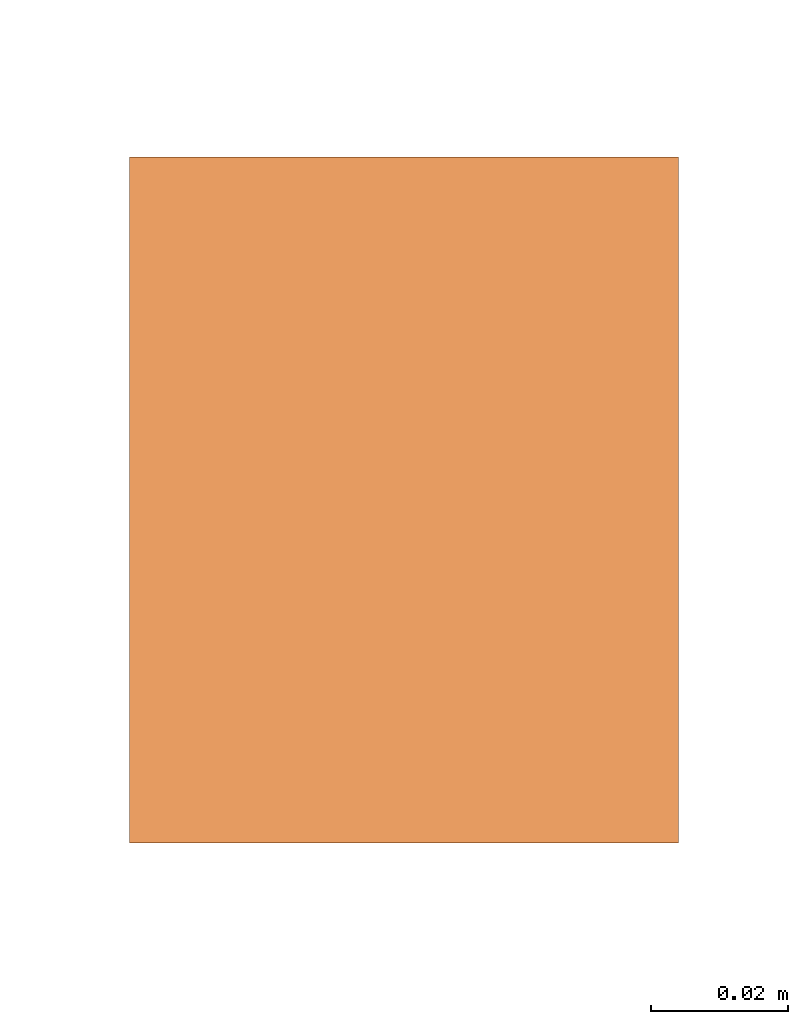
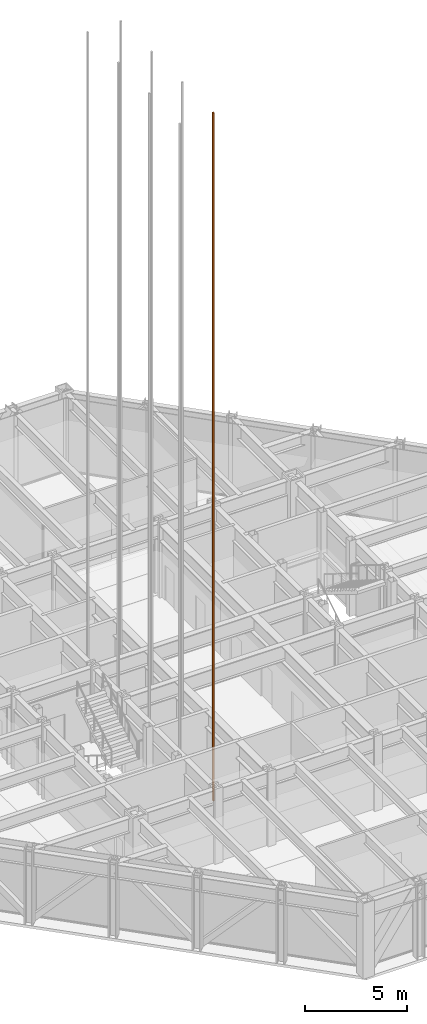
# One storey, part 18 of 24: 1 proxy.
"""IFC4 building model written with IfcOpenShell, lengths in metres."""

from ifc_helpers import new_model, si_unit, direction, frame, origin, origin_2d, place, context, subcontext, project, spatial, rectangle, extrude, material, type_object, element, save


model = new_model("IFC4")

# Units and contexts
model_context = context("Model", 3, precision=1e-05, world=origin(), true_north=direction((0.0, 1.0)))
body_context = subcontext(model_context, "Body", "Model", "MODEL_VIEW")
ifc_project = project(units=[si_unit("LENGTHUNIT", "METRE"), si_unit("AREAUNIT", "SQUARE_METRE"), si_unit("VOLUMEUNIT", "CUBIC_METRE"), si_unit("PLANEANGLEUNIT", "RADIAN"), si_unit("MASSUNIT", "GRAM", prefix="KILO")], contexts=[model_context])

# Site, building, storey
site_placement = place(None, origin())
site = spatial("IfcSite", under=ifc_project, at=site_placement, CompositionType="ELEMENT")
building_placement = place(site_placement, origin())
building = spatial("IfcBuilding", under=site, at=building_placement, Name="Chuquiago Exchange Tower", CompositionType="ELEMENT")
storey_placement = place(building_placement, frame((0.0, 0.0, 257.699951171875)))
storey = spatial("IfcBuildingStorey", under=building, at=storey_placement, Name="L57", CompositionType="ELEMENT", Elevation=257.699951171875)

# Proxy
ifc_material = material(Name="Galvanised steel guide rail", Category="steel")
building_element_proxy_type = type_object("IfcBuildingElementProxyType", Name="LR lift guide rail", PredefinedType="NOTDEFINED", material=ifc_material)
proxy_placement = place(storey_placement, frame((18.93505859375, 16.5, 0.0), z_axis=(0.0, 0.0, 1.0), x_axis=(1.0, 0.0, 0.0)))
element("IfcBuildingElementProxy", 1, at=proxy_placement, inside=storey, type_object=building_element_proxy_type, Name="Lift LD1 guide rail E", PredefinedType="NOTDEFINED", context=body_context, shape_type="SweptSolid", body=[
    extrude(rectangle(XDim=0.080078125, YDim=0.10009765625, at=origin_2d()), origin(), (0.0, 0.0, 1.0), 41.0),
])

save(model, "model.ifc")
